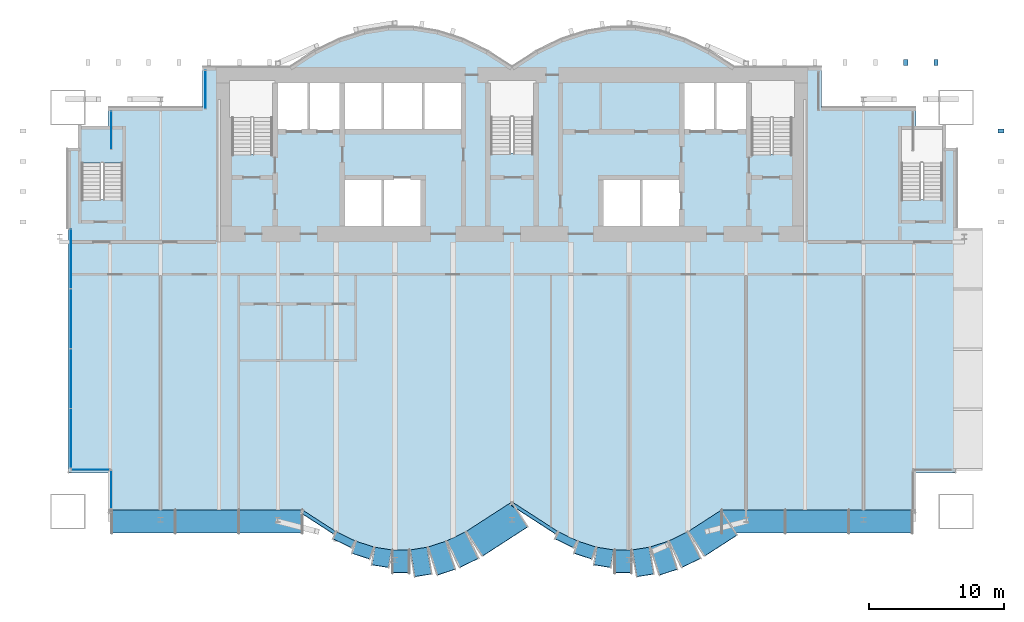
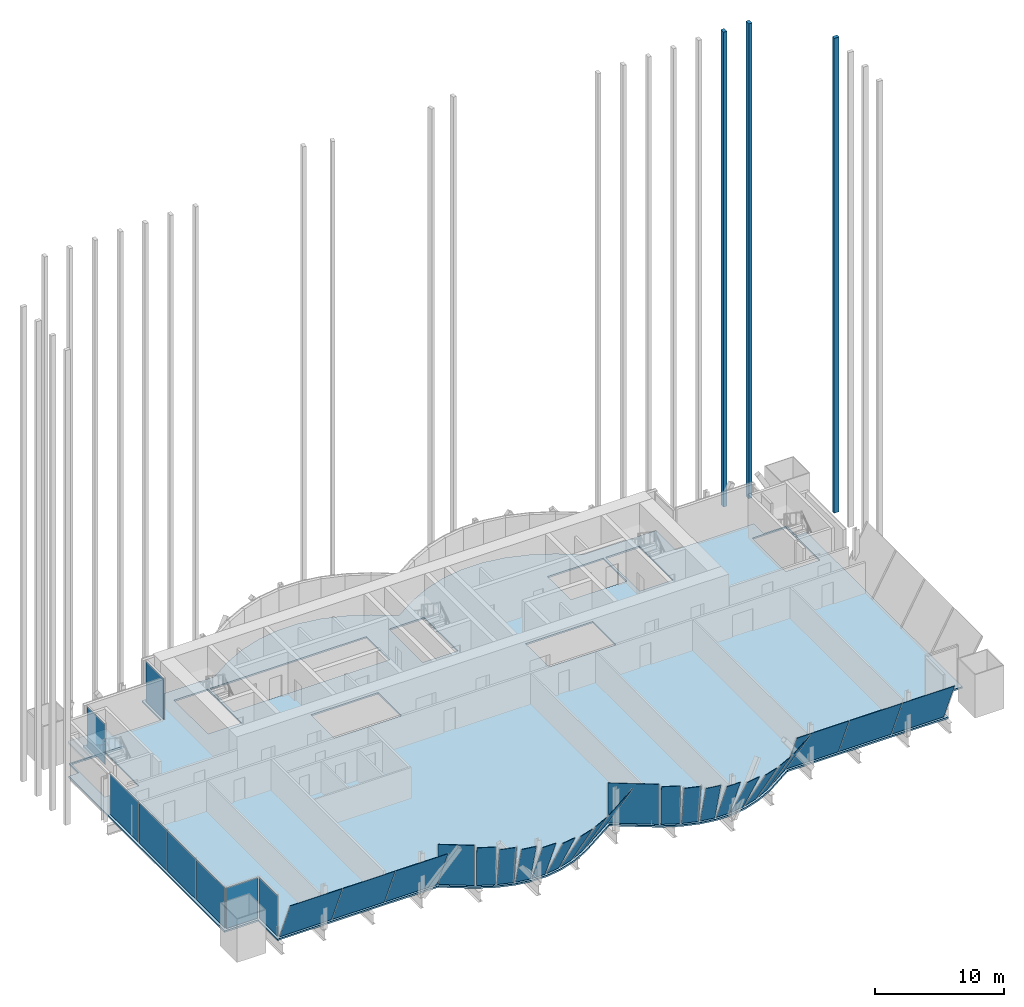
# One storey, part 27 of 33: 32 plates, 3 members, 2 slabs, 28 elements without a shape of their own.
"""IFC4 building model written with IfcOpenShell, lengths in metres."""

from ifc_helpers import new_model, si_unit, direction, frame, origin, origin_2d, place, context, subcontext, project, spatial, polyline, rectangle, outline, extrude, material, layer, layer_set, material_profile, profile_set, type_object, element, aggregate, save


model = new_model("IFC4")

# Units and contexts
model_context = context("Model", 3, precision=1e-05, world=origin(), true_north=direction((0.0, 1.0)))
body_context = subcontext(model_context, "Body", "Model", "MODEL_VIEW")
ifc_project = project(units=[si_unit("LENGTHUNIT", "METRE"), si_unit("AREAUNIT", "SQUARE_METRE"), si_unit("VOLUMEUNIT", "CUBIC_METRE"), si_unit("PLANEANGLEUNIT", "RADIAN"), si_unit("MASSUNIT", "GRAM", prefix="KILO")], contexts=[model_context])

# Site, building, storey
site_placement = place(None, origin())
site = spatial("IfcSite", under=ifc_project, at=site_placement, CompositionType="ELEMENT")
building_placement = place(site_placement, origin())
building = spatial("IfcBuilding", under=site, at=building_placement, Name="Bicima Exchange Tower", CompositionType="ELEMENT")
storey_placement = place(building_placement, frame((0.0, 0.0, 140.39990234375)))
storey = spatial("IfcBuildingStorey", under=building, at=storey_placement, Name="L30", CompositionType="ELEMENT", Elevation=140.39990234375)

# Curtain wall, members
ifc_material_1 = material(Name="Anodised bronze aluminium", Category="aluminium")
curtain_wall_type_1 = type_object("IfcCurtainWallType", Name="Rear blade screen", PredefinedType="NOTDEFINED", material=ifc_material_1)
curtain_wall_1_placement = place(storey_placement, origin())
curtain_wall_1 = element("IfcCurtainWall", 1, at=curtain_wall_1_placement, inside=storey, type_object=curtain_wall_type_1, Name="Rear blade screen L30-L40 E", PredefinedType="NOTDEFINED")
ifc_material_profile = material_profile(ifc_material_1, rectangle(XDim=0.449951171875, YDim=0.300048828125, at=origin_2d()))
ifc_profile_set = profile_set([ifc_material_profile], Name="Anodised bronze aluminium")
member_type = type_object("IfcMemberType", Name="Rear blade fin 450 x 300", PredefinedType="USERDEFINED", material=ifc_profile_set)
member_1_placement = place(storey_placement, frame((29.25, 0.324951171875, 0.0), z_axis=(0.0, 0.0, 1.0), x_axis=(0.0, 1.0, 0.0)))
member_1 = element("IfcMember", 2, at=member_1_placement, type_object=member_type, Name="Rear blade fin L30-L40 18", ObjectType="FIN", PredefinedType="USERDEFINED", context=body_context, shape_type="SweptSolid", body=[
    extrude(rectangle(XDim=0.449951171875, YDim=0.300048828125, at=origin_2d()), origin(), (0.0, 0.0, 1.0), 44.900146484375),
])
member_2_placement = place(storey_placement, frame((31.5, 0.324951171875, 0.0), z_axis=(0.0, 0.0, 1.0), x_axis=(0.0, 1.0, 0.0)))
member_2 = element("IfcMember", 3, at=member_2_placement, type_object=member_type, Name="Rear blade fin L30-L40 19", ObjectType="FIN", PredefinedType="USERDEFINED", context=body_context, shape_type="SweptSolid", body=[
    extrude(rectangle(XDim=0.449951171875, YDim=0.300048828125, at=origin_2d()), origin(), (0.0, 0.0, 1.0), 44.900146484375),
])
aggregate(curtain_wall_1, [member_1, member_2])

# Curtain wall, member
curtain_wall_2_placement = place(storey_placement, origin())
curtain_wall_2 = element("IfcCurtainWall", 4, at=curtain_wall_2_placement, inside=storey, type_object=curtain_wall_type_1, Name="End blade screen L30-L40", PredefinedType="NOTDEFINED")
member_3_placement = place(storey_placement, frame((36.324951171875, -4.75, 0.0), z_axis=(0.0, 0.0, 1.0), x_axis=(1.0, 0.0, 0.0)))
member_3 = element("IfcMember", 5, at=member_3_placement, type_object=member_type, Name="End blade fin L30-L40 4", ObjectType="FIN", PredefinedType="USERDEFINED", context=body_context, shape_type="SweptSolid", body=[
    extrude(rectangle(XDim=0.449951171875, YDim=0.300048828125, at=origin_2d()), origin(), (0.0, 0.0, 1.0), 44.900146484375),
])
aggregate(curtain_wall_2, [member_3])

# Slab
ifc_material_2 = material(Name="Concrete C40/50", Category="concrete")
ifc_layer_1 = layer(ifc_material_2, 0.14990234375)
ifc_layer_set_1 = layer_set([ifc_layer_1], Name="Concrete C40/50")
slab_type_1 = type_object("IfcSlabType", Name="Composite floor slab 150", PredefinedType="FLOOR", material=ifc_layer_set_1)
slab_1_placement = place(storey_placement, frame((0.0, 0.0, -0.14990234375)))
element("IfcSlab", 6, at=slab_1_placement, inside=storey, type_object=slab_type_1, Name="Floor slab", PredefinedType="FLOOR", context=body_context, shape_type="SweptSolid", body=[
    extrude(outline(polyline([(30.0, -33.14404296875), (15.61474609375, -33.14404296875), (13.1923828125, -34.7099609375), (11.712158203125, -35.427734375), (10.295166015625, -35.8857421875), (8.92578125, -36.10693359375), (7.57421875, -36.10693359375), (6.204833984375, -35.8857421875), (4.787841796875, -35.427734375), (3.3076171875, -34.7099609375), (0.0, -32.57177734375), (-3.3076171875, -34.7099609375), (-4.787841796875, -35.427734375), (-6.204833984375, -35.8857421875), (-7.57421875, -36.10693359375), (-8.92578125, -36.10693359375), (-10.295166015625, -35.8857421875), (-11.712158203125, -35.427734375), (-13.1923828125, -34.7099609375), (-15.61474609375, -33.14404296875), (-30.0, -33.14404296875), (-30.0, -30.14404296875), (-33.0, -30.14404296875), (-33.0, -6.0), (-32.10009765625, -6.0), (-32.10009765625, -4.5), (-30.0, -4.5), (-30.0, -3.0), (-23.0, -3.0), (-23.0, 0.0), (-16.5, 0.0), (-14.666748046875, 1.185302734375), (-12.833251953125, 2.07421875), (-11.0, 2.666748046875), (-9.166748046875, 2.962890625), (-7.333251953125, 2.962890625), (-5.5, 2.666748046875), (-3.666748046875, 2.07421875), (-1.833251953125, 1.185302734375), (0.0, 0.0), (1.833251953125, 1.185302734375), (3.666748046875, 2.07421875), (5.5, 2.666748046875), (7.333251953125, 2.962890625), (9.166748046875, 2.962890625), (11.0, 2.666748046875), (12.833251953125, 2.07421875), (14.666748046875, 1.185302734375), (16.5, 0.0), (23.0, 0.0), (23.0, -3.0), (30.0, -3.0), (30.0, -4.5), (32.10009765625, -4.5), (32.10009765625, -6.0), (33.0, -6.0), (33.0, -30.14404296875), (30.0, -30.14404296875), (30.0, -33.14404296875)]), holes=[polyline([(-6.60009765625, -11.800048828125), (-6.60009765625, -8.199951171875), (-9.60009765625, -8.199951171875), (-12.60009765625, -8.199951171875), (-12.60009765625, -11.800048828125), (-9.60009765625, -11.800048828125), (-6.60009765625, -11.800048828125)]), polyline([(-31.97509765625, -9.824951171875), (-28.925048828125, -9.824951171875), (-28.925048828125, -4.625), (-31.97509765625, -4.625), (-31.97509765625, -9.824951171875)]), polyline([(-20.800048828125, -6.449951171875), (-17.800048828125, -6.449951171875), (-17.800048828125, -1.199951171875), (-20.800048828125, -1.199951171875), (-20.800048828125, -6.449951171875)]), polyline([(-9.60009765625, -1.199951171875), (-12.60009765625, -1.199951171875), (-15.10009765625, -1.199951171875), (-17.60009765625, -1.199951171875), (-17.60009765625, -4.800048828125), (-15.10009765625, -4.800048828125), (-12.60009765625, -4.800048828125), (-9.60009765625, -4.800048828125), (-6.60009765625, -4.800048828125), (-3.60009765625, -4.800048828125), (-3.60009765625, -1.199951171875), (-6.60009765625, -1.199951171875), (-9.60009765625, -1.199951171875)]), polyline([(12.60009765625, -11.800048828125), (12.60009765625, -8.199951171875), (9.60009765625, -8.199951171875), (6.60009765625, -8.199951171875), (6.60009765625, -11.800048828125), (9.60009765625, -11.800048828125), (12.60009765625, -11.800048828125)]), polyline([(28.925048828125, -9.824951171875), (31.97509765625, -9.824951171875), (31.97509765625, -4.625), (28.925048828125, -4.625), (28.925048828125, -9.824951171875)]), polyline([(17.800048828125, -6.449951171875), (20.800048828125, -6.449951171875), (20.800048828125, -1.199951171875), (17.800048828125, -1.199951171875), (17.800048828125, -6.449951171875)]), polyline([(-1.574951171875, -6.39990234375), (1.574951171875, -6.39990234375), (1.574951171875, -1.199951171875), (-1.574951171875, -1.199951171875), (-1.574951171875, -6.39990234375)]), polyline([(17.60009765625, -4.800048828125), (17.60009765625, -1.199951171875), (15.10009765625, -1.199951171875), (12.60009765625, -1.199951171875), (12.60009765625, -4.800048828125), (15.10009765625, -4.800048828125), (17.60009765625, -4.800048828125)])]), origin(), (0.0, 0.0, 1.0), 0.14990234375),
])

# Curtain wall, plates
curtain_wall_type_2 = type_object("IfcCurtainWallType", Name="End face glass wall", PredefinedType="NOTDEFINED", material=ifc_material_1)
curtain_wall_3_placement = place(storey_placement, origin())
curtain_wall_3 = element("IfcCurtainWall", 7, at=curtain_wall_3_placement, inside=storey, type_object=curtain_wall_type_2, Name="End face glass wall L30 run 6", PredefinedType="NOTDEFINED")
ifc_material_3 = material(Name="Bronze tinted glass", Category="glass")
ifc_layer_2 = layer(ifc_material_3, 0.031982421875)
ifc_layer_set_2 = layer_set([ifc_layer_2], Name="Bronze tinted glass")
plate_type_1 = type_object("IfcPlateType", Name="End face glass wall glass panel 32", PredefinedType="CURTAIN_PANEL", material=ifc_layer_set_2)
plate_1_placement = place(storey_placement, frame((-32.77001953125, -14.251708984375, 0.0), z_axis=(0.0, 0.0, 1.0), x_axis=(0.0, -1.0, 0.0)))
plate_1 = element("IfcPlate", 8, at=plate_1_placement, type_object=plate_type_1, Name="End face glass wall panel 1.1", PredefinedType="CURTAIN_PANEL", context=body_context, shape_type="SweptSolid", body=[
    extrude(rectangle(XDim=4.383544921875, YDim=0.031982421875, at=origin_2d()), origin(), (0.0, 0.0, 1.0), 3.81005859375),
])
plate_2_placement = place(storey_placement, frame((-32.77001953125, -18.6953125, 0.0), z_axis=(0.0, 0.0, 1.0), x_axis=(0.0, -1.0, 0.0)))
plate_2 = element("IfcPlate", 9, at=plate_2_placement, type_object=plate_type_1, Name="End face glass wall panel 2.1", PredefinedType="CURTAIN_PANEL", context=body_context, shape_type="SweptSolid", body=[
    extrude(rectangle(XDim=4.383544921875, YDim=0.031982421875, at=origin_2d()), origin(), (0.0, 0.0, 1.0), 3.81005859375),
])
plate_3_placement = place(storey_placement, frame((-32.77001953125, -23.138916015625, 0.0), z_axis=(0.0, 0.0, 1.0), x_axis=(0.0, -1.0, 0.0)))
plate_3 = element("IfcPlate", 10, at=plate_3_placement, type_object=plate_type_1, Name="End face glass wall panel 3.1", PredefinedType="CURTAIN_PANEL", context=body_context, shape_type="SweptSolid", body=[
    extrude(rectangle(XDim=4.383544921875, YDim=0.031982421875, at=origin_2d()), origin(), (0.0, 0.0, 1.0), 3.81005859375),
])
plate_4_placement = place(storey_placement, frame((-32.77001953125, -27.582275390625, 0.0), z_axis=(0.0, 0.0, 1.0), x_axis=(0.0, -1.0, 0.0)))
plate_4 = element("IfcPlate", 11, at=plate_4_placement, type_object=plate_type_1, Name="End face glass wall panel 4.1", PredefinedType="CURTAIN_PANEL", context=body_context, shape_type="SweptSolid", body=[
    extrude(rectangle(XDim=4.383544921875, YDim=0.031982421875, at=origin_2d()), origin(), (0.0, 0.0, 1.0), 3.81005859375),
])
aggregate(curtain_wall_3, [plate_1, plate_2, plate_3, plate_4])

# Curtain wall, plate
curtain_wall_type_3 = type_object("IfcCurtainWallType", Name="Front glass wall", PredefinedType="NOTDEFINED", material=ifc_material_1)
curtain_wall_4_placement = place(storey_placement, origin())
curtain_wall_4 = element("IfcCurtainWall", 12, at=curtain_wall_4_placement, inside=storey, type_object=curtain_wall_type_3, Name="Front glass wall L30 run 4", PredefinedType="NOTDEFINED")
ifc_layer_3 = layer(ifc_material_3, 0.031982421875)
ifc_layer_set_3 = layer_set([ifc_layer_3], Name="Bronze tinted glass")
plate_type_2 = type_object("IfcPlateType", Name="Front glass wall glass panel 32", PredefinedType="CURTAIN_PANEL", material=ifc_layer_set_3)
plate_5_placement = place(storey_placement, frame((-22.77001953125, -1.68994140625, 0.0), z_axis=(0.0, 0.0, 1.0), x_axis=(0.0, -1.0, 0.0)))
plate_5 = element("IfcPlate", 13, at=plate_5_placement, type_object=plate_type_2, Name="Front glass wall panel 1.1", PredefinedType="CURTAIN_PANEL", context=body_context, shape_type="SweptSolid", body=[
    extrude(rectangle(XDim=2.800048828125, YDim=0.031982421875, at=origin_2d()), origin(), (0.0, 0.0, 1.0), 3.81005859375),
])
aggregate(curtain_wall_4, [plate_5])

curtain_wall_5_placement = place(storey_placement, origin())
curtain_wall_5 = element("IfcCurtainWall", 14, at=curtain_wall_5_placement, inside=storey, type_object=curtain_wall_type_3, Name="Front glass wall L30 run 5", PredefinedType="NOTDEFINED")
plate_6_placement = place(storey_placement, frame((-29.77001953125, -4.68994140625, 0.0), z_axis=(0.0, 0.0, 1.0), x_axis=(0.0, -1.0, 0.0)))
plate_6 = element("IfcPlate", 15, at=plate_6_placement, type_object=plate_type_2, Name="Front glass wall panel 1.1", PredefinedType="CURTAIN_PANEL", context=body_context, shape_type="SweptSolid", body=[
    extrude(rectangle(XDim=2.800048828125, YDim=0.031982421875, at=origin_2d()), origin(), (0.0, 0.0, 1.0), 3.81005859375),
])
aggregate(curtain_wall_5, [plate_6])

curtain_wall_6_placement = place(storey_placement, origin())
curtain_wall_6 = element("IfcCurtainWall", 16, at=curtain_wall_6_placement, inside=storey, type_object=curtain_wall_type_3, Name="Front glass wall L30 run 7", PredefinedType="NOTDEFINED")
plate_7_placement = place(storey_placement, frame((-31.31005859375, -29.9140625, 0.0), z_axis=(0.0, 0.0, 1.0), x_axis=(1.0, 0.0, 0.0)))
plate_7 = element("IfcPlate", 17, at=plate_7_placement, type_object=plate_type_2, Name="Front glass wall panel 1.1", PredefinedType="CURTAIN_PANEL", context=body_context, shape_type="SweptSolid", body=[
    extrude(rectangle(XDim=2.800048828125, YDim=0.031982421875, at=origin_2d()), origin(), (0.0, 0.0, 1.0), 3.81005859375),
])
aggregate(curtain_wall_6, [plate_7])

curtain_wall_7_placement = place(storey_placement, origin())
curtain_wall_7 = element("IfcCurtainWall", 18, at=curtain_wall_7_placement, inside=storey, type_object=curtain_wall_type_3, Name="Front glass wall L30 run 8", PredefinedType="NOTDEFINED")
plate_8_placement = place(storey_placement, frame((-29.77001953125, -31.3740234375, 0.0), z_axis=(0.0, 0.0, 1.0), x_axis=(0.0, -1.0, 0.0)))
plate_8 = element("IfcPlate", 19, at=plate_8_placement, type_object=plate_type_2, Name="Front glass wall panel 1.1", PredefinedType="CURTAIN_PANEL", context=body_context, shape_type="SweptSolid", body=[
    extrude(rectangle(XDim=2.800048828125, YDim=0.031982421875, at=origin_2d()), origin(), (0.0, 0.0, 1.0), 3.81005859375),
])
aggregate(curtain_wall_7, [plate_8])

curtain_wall_8_placement = place(storey_placement, origin())
curtain_wall_8 = element("IfcCurtainWall", 20, at=curtain_wall_8_placement, inside=storey, type_object=curtain_wall_type_3, Name="Canted glass wall L30 37.1", PredefinedType="NOTDEFINED")
plate_9_placement = place(storey_placement, frame((-13.025390625, -34.535400390625, 0.0), z_axis=(0.431712251382, 0.890578249762, 0.143160445158), x_axis=(0.89984713121, -0.436205387924, 0.0)))
plate_9 = element("IfcPlate", 21, at=plate_9_placement, type_object=plate_type_2, Name="Canted glass panel 1", PredefinedType="CURTAIN_PANEL", context=body_context, shape_type="SweptSolid", body=[
    extrude(outline(polyline([(0.0, 0.0), (1.494937081081463, 0.0), (1.4949137964141754, -3.9913078054860818), (-2.3284667287539446e-05, -3.9913078054860818), (0.0, 0.0)])), origin(), (0.0, 0.0, -1.0), 0.031982421875),
])
aggregate(curtain_wall_8, [plate_9])

curtain_wall_9_placement = place(storey_placement, origin())
curtain_wall_9 = element("IfcCurtainWall", 22, at=curtain_wall_9_placement, inside=storey, type_object=curtain_wall_type_3, Name="Canted glass wall L30 40.1", PredefinedType="NOTDEFINED")
plate_10_placement = place(storey_placement, frame((-8.847412109375, -35.876953125, 0.0), z_axis=(0.0, 0.91972618109, 0.392560507207), x_axis=(1.0, 0.0, 0.0)))
plate_10 = element("IfcPlate", 23, at=plate_10_placement, type_object=plate_type_2, Name="Canted glass panel 1", PredefinedType="CURTAIN_PANEL", context=body_context, shape_type="SweptSolid", body=[
    extrude(outline(polyline([(0.0, 0.0), (1.19482421875, 0.0), (1.19482421875, -4.294968865429404), (0.0, -4.294968865429404), (0.0, 0.0)])), origin(), (0.0, 0.0, -1.0), 0.031982421875),
])
aggregate(curtain_wall_9, [plate_10])

curtain_wall_10_placement = place(storey_placement, origin())
curtain_wall_10 = element("IfcCurtainWall", 24, at=curtain_wall_10_placement, inside=storey, type_object=curtain_wall_type_3, Name="Canted glass wall L30 41.1", PredefinedType="NOTDEFINED")
plate_11_placement = place(storey_placement, frame((-7.533447265625, -35.867431640625, 0.0), z_axis=(-0.142188012314, 0.879815941949, 0.453548759723), x_axis=(0.987188080253, 0.159560937079, -3.9566294e-05)))
plate_11 = element("IfcPlate", 25, at=plate_11_placement, type_object=plate_type_2, Name="Canted glass panel 1", PredefinedType="CURTAIN_PANEL", context=body_context, shape_type="SweptSolid", body=[
    extrude(outline(polyline([(0.0, 0.0), (1.2311203168570453, -1.3877787807814457e-17), (1.2309870398327059, -4.432343539504277), (-9.432171743498812e-05, -4.432234229859853), (0.0, 0.0)])), origin(), (0.0, 0.0, -1.0), 0.031982421875),
])
aggregate(curtain_wall_10, [plate_11])

curtain_wall_11_placement = place(storey_placement, origin())
curtain_wall_11 = element("IfcCurtainWall", 26, at=curtain_wall_11_placement, inside=storey, type_object=curtain_wall_type_3, Name="Canted glass wall L30 42.1", PredefinedType="NOTDEFINED")
plate_12_placement = place(storey_placement, frame((-6.20166015625, -35.642822265625, 0.0), z_axis=(-0.268992577696, 0.8322382545, 0.484791172457), x_axis=(0.951536123408, 0.307536998143, 2.495936e-05)))
plate_12 = element("IfcPlate", 27, at=plate_12_placement, type_object=plate_type_2, Name="Canted glass panel 1", PredefinedType="CURTAIN_PANEL", context=body_context, shape_type="SweptSolid", body=[
    extrude(outline(polyline([(0.0, 0.0), (1.3354547737341032, 0.0), (1.33581580932168, -4.516380957805549), (5.364468876061158e-05, -4.516457186462047), (0.0, 0.0)])), origin(), (0.0, 0.0, -1.0), 0.031982421875),
])
aggregate(curtain_wall_11, [plate_12])

curtain_wall_12_placement = place(storey_placement, origin())
curtain_wall_12 = element("IfcCurtainWall", 28, at=curtain_wall_12_placement, inside=storey, type_object=curtain_wall_type_3, Name="Canted glass wall L30 43.1", PredefinedType="NOTDEFINED")
plate_13_placement = place(storey_placement, frame((-4.81982421875, -35.1875, 0.0), z_axis=(-0.381514652697, 0.787025734317, 0.48480621211), x_axis=(0.89984713121, 0.436205387924, 0.0)))
plate_13 = element("IfcPlate", 29, at=plate_13_placement, type_object=plate_type_2, Name="Canted glass panel 1", PredefinedType="CURTAIN_PANEL", context=body_context, shape_type="SweptSolid", body=[
    extrude(outline(polyline([(0.0, 0.0), (1.494937081081463, -5.551115123125783e-17), (1.4951627509733252, -4.516462124019396), (0.00022566989186234565, -4.516462124019395), (0.0, 0.0)])), origin(), (0.0, 0.0, -1.0), 0.031982421875),
])
aggregate(curtain_wall_12, [plate_13])

curtain_wall_13_placement = place(storey_placement, origin())
curtain_wall_13 = element("IfcCurtainWall", 30, at=curtain_wall_13_placement, inside=storey, type_object=curtain_wall_type_3, Name="Canted glass wall L30 45.1", PredefinedType="NOTDEFINED")
plate_14_placement = place(storey_placement, frame((0.05029296875, -32.330322265625, 0.0), z_axis=(0.541902911435, 0.838268106443, 0.060397154729), x_axis=(0.839801174799, -0.542894084333, 1.563377e-06)))
plate_14 = element("IfcPlate", 31, at=plate_14_placement, type_object=plate_type_2, Name="Canted glass panel 1", PredefinedType="CURTAIN_PANEL", context=body_context, shape_type="SweptSolid", body=[
    extrude(outline(polyline([(0.0, 0.0), (3.953173405832099, -1.3877787807814457e-17), (3.9532588084047404, -3.9574136856257973), (0.00021794507369933414, -3.957426068622452), (0.0, 0.0)])), origin(), (0.0, 0.0, -1.0), 0.031982421875),
])
aggregate(curtain_wall_13, [plate_14])

curtain_wall_14_placement = place(storey_placement, origin())
curtain_wall_14 = element("IfcCurtainWall", 32, at=curtain_wall_14_placement, inside=storey, type_object=curtain_wall_type_3, Name="Canted glass wall L30 46.1", PredefinedType="NOTDEFINED")
plate_15_placement = place(storey_placement, frame((3.474609375, -34.535400390625, 0.0), z_axis=(0.431712251382, 0.890578249762, 0.143160445158), x_axis=(0.89984713121, -0.436205387924, 0.0)))
plate_15 = element("IfcPlate", 33, at=plate_15_placement, type_object=plate_type_2, Name="Canted glass panel 1", PredefinedType="CURTAIN_PANEL", context=body_context, shape_type="SweptSolid", body=[
    extrude(outline(polyline([(0.0, 0.0), (1.494937081081463, 0.0), (1.4949137964141754, -3.9913078054860818), (-2.3284667287539446e-05, -3.9913078054860818), (0.0, 0.0)])), origin(), (0.0, 0.0, -1.0), 0.031982421875),
])
aggregate(curtain_wall_14, [plate_15])

curtain_wall_15_placement = place(storey_placement, origin())
curtain_wall_15 = element("IfcCurtainWall", 34, at=curtain_wall_15_placement, inside=storey, type_object=curtain_wall_type_3, Name="Canted glass wall L30 47.1", PredefinedType="NOTDEFINED")
plate_16_placement = place(storey_placement, frame((4.930908203125, -35.232177734375, 0.0), z_axis=(0.299183251617, 0.925831643678, 0.230922388514), x_axis=(0.951549971166, -0.307494150144, 0.0)))
plate_16 = element("IfcPlate", 35, at=plate_16_placement, type_object=plate_type_2, Name="Canted glass panel 1", PredefinedType="CURTAIN_PANEL", context=body_context, shape_type="SweptSolid", body=[
    extrude(outline(polyline([(0.0, 0.0), (1.3354547755040358, -1.3877787807814457e-17), (1.3354067063341915, -4.0599262958654565), (-4.806916984428922e-05, -4.0599262958654565), (0.0, 0.0)])), origin(), (0.0, 0.0, -1.0), 0.031982421875),
])
aggregate(curtain_wall_15, [plate_16])

curtain_wall_16_placement = place(storey_placement, origin())
curtain_wall_16 = element("IfcCurtainWall", 36, at=curtain_wall_16_placement, inside=storey, type_object=curtain_wall_type_3, Name="Canted glass wall L30 48.1", PredefinedType="NOTDEFINED")
plate_17_placement = place(storey_placement, frame((6.318115234375, -35.6708984375, 0.0), z_axis=(0.151333158042, 0.936403307314, 0.316618258046), x_axis=(0.987189727656, -0.159550746617, 2.9397368e-05)))
plate_17 = element("IfcPlate", 37, at=plate_17_placement, type_object=plate_type_2, Name="Canted glass panel 1", PredefinedType="CURTAIN_PANEL", context=body_context, shape_type="SweptSolid", body=[
    extrude(outline(polyline([(0.0, 0.0), (1.2311203162350637, 0.0), (1.2311406127178135, -4.1644050841829685), (5.924930174800396e-05, -4.164481392250139), (0.0, 0.0)])), origin(), (0.0, 0.0, -1.0), 0.031982421875),
])
aggregate(curtain_wall_16, [plate_17])

curtain_wall_17_placement = place(storey_placement, origin())
curtain_wall_17 = element("IfcCurtainWall", 38, at=curtain_wall_17_placement, inside=storey, type_object=curtain_wall_type_3, Name="Canted glass wall L30 49.1", PredefinedType="NOTDEFINED")
plate_18_placement = place(storey_placement, frame((7.652587890625, -35.876953125, 0.0), z_axis=(0.0, 0.91972618109, 0.392560507207), x_axis=(1.0, 0.0, 0.0)))
plate_18 = element("IfcPlate", 39, at=plate_18_placement, type_object=plate_type_2, Name="Canted glass panel 1", PredefinedType="CURTAIN_PANEL", context=body_context, shape_type="SweptSolid", body=[
    extrude(outline(polyline([(0.0, 0.0), (1.19482421875, 0.0), (1.19482421875, -4.294968865429404), (0.0, -4.294968865429404), (0.0, 0.0)])), origin(), (0.0, 0.0, -1.0), 0.031982421875),
])
aggregate(curtain_wall_17, [plate_18])

curtain_wall_18_placement = place(storey_placement, origin())
curtain_wall_18 = element("IfcCurtainWall", 40, at=curtain_wall_18_placement, inside=storey, type_object=curtain_wall_type_3, Name="Canted glass wall L30 52.1", PredefinedType="NOTDEFINED")
plate_19_placement = place(storey_placement, frame((11.68017578125, -35.1875, 0.0), z_axis=(-0.381514652697, 0.787025734317, 0.48480621211), x_axis=(0.89984713121, 0.436205387924, 0.0)))
plate_19 = element("IfcPlate", 41, at=plate_19_placement, type_object=plate_type_2, Name="Canted glass panel 1", PredefinedType="CURTAIN_PANEL", context=body_context, shape_type="SweptSolid", body=[
    extrude(outline(polyline([(0.0, 0.0), (1.494937081081463, -5.551115123125783e-17), (1.4951627509733252, -4.516462124019396), (0.00022566989186234565, -4.516462124019395), (0.0, 0.0)])), origin(), (0.0, 0.0, -1.0), 0.031982421875),
])
aggregate(curtain_wall_18, [plate_19])

curtain_wall_19_placement = place(storey_placement, origin())
curtain_wall_19 = element("IfcCurtainWall", 42, at=curtain_wall_19_placement, inside=storey, type_object=curtain_wall_type_3, Name="Canted glass wall L30 53.1", PredefinedType="NOTDEFINED")
plate_20_placement = place(storey_placement, frame((13.1298828125, -34.4765625, 0.0), z_axis=(-0.474818122348, 0.7345227604, 0.484792806407), x_axis=(0.839805995735, 0.542886626553, -1.5424091e-05)))
plate_20 = element("IfcPlate", 43, at=plate_20_placement, type_object=plate_type_2, Name="Canted glass panel 1", PredefinedType="CURTAIN_PANEL", context=body_context, shape_type="SweptSolid", body=[
    extrude(outline(polyline([(0.0, 0.0), (2.818200637514678, 1.1102230246251565e-16), (2.818138078980921, -4.5164734515156875), (6.99821465538396e-05, -4.516374055865816), (0.0, 0.0)])), origin(), (0.0, 0.0, -1.0), 0.031982421875),
])
aggregate(curtain_wall_19, [plate_20])

# Curtain wall, plates
curtain_wall_20_placement = place(storey_placement, origin())
curtain_wall_20 = element("IfcCurtainWall", 44, at=curtain_wall_20_placement, inside=storey, type_object=curtain_wall_type_3, Name="Canted glass wall L30 35.1", PredefinedType="NOTDEFINED")
ifc_material_4 = material(Name="Bronze anodised aluminium", Category="aluminium")
ifc_layer_4 = layer(ifc_material_4, 0.031982421875)
ifc_layer_set_4 = layer_set([ifc_layer_4], Name="Bronze anodised aluminium")
plate_type_3 = type_object("IfcPlateType", Name="Front glass wall spandrel panel 32", PredefinedType="CURTAIN_PANEL", material=ifc_layer_set_4)
plate_21_placement = place(storey_placement, frame((-29.7099609375, -32.9140625, 0.0), z_axis=(0.0, 0.91972618109, 0.392560507207), x_axis=(1.0, 0.0, 0.0)))
plate_21 = element("IfcPlate", 45, at=plate_21_placement, type_object=plate_type_3, Name="Canted glass panel 1", PredefinedType="CURTAIN_PANEL", context=body_context, shape_type="SweptSolid", body=[
    extrude(outline(polyline([(0.0, 0.0), (4.660888671875, 0.0), (4.660888671875, -4.294968865429403), (0.0, -4.294968865429403), (0.0, 0.0)])), origin(), (0.0, 0.0, -1.0), 0.031982421875),
])
plate_22_placement = place(storey_placement, frame((-24.989013671875, -32.9140625, 0.0), z_axis=(0.0, 0.91972618109, 0.392560507207), x_axis=(1.0, 0.0, 0.0)))
plate_22 = element("IfcPlate", 46, at=plate_22_placement, type_object=plate_type_3, Name="Canted glass panel 2", PredefinedType="CURTAIN_PANEL", context=body_context, shape_type="SweptSolid", body=[
    extrude(outline(polyline([(0.0, 0.0), (4.6611328125, 0.0), (4.6611328125, -4.294968865429403), (0.0, -4.294968865429403), (0.0, 0.0)])), origin(), (0.0, 0.0, -1.0), 0.031982421875),
])
plate_23_placement = place(storey_placement, frame((-20.267822265625, -32.9140625, 0.0), z_axis=(0.0, 0.91972618109, 0.392560507207), x_axis=(1.0, 0.0, 0.0)))
plate_23 = element("IfcPlate", 47, at=plate_23_placement, type_object=plate_type_3, Name="Canted glass panel 3", PredefinedType="CURTAIN_PANEL", context=body_context, shape_type="SweptSolid", body=[
    extrude(outline(polyline([(0.0, 0.0), (4.660888671875, 0.0), (4.660888671875, -4.294968865429403), (0.0, -4.294968865429403), (0.0, 0.0)])), origin(), (0.0, 0.0, -1.0), 0.031982421875),
])
aggregate(curtain_wall_20, [plate_21, plate_22, plate_23])

# Curtain wall, plate
curtain_wall_21_placement = place(storey_placement, origin())
curtain_wall_21 = element("IfcCurtainWall", 48, at=curtain_wall_21_placement, inside=storey, type_object=curtain_wall_type_3, Name="Canted glass wall L30 36.1", PredefinedType="NOTDEFINED")
plate_24_placement = place(storey_placement, frame((-15.49658203125, -32.946533203125, 0.0), z_axis=(0.541919720783, 0.838259098974, 0.06037134432), x_axis=(0.839790888572, -0.542909995738, 0.0)))
plate_24 = element("IfcPlate", 49, at=plate_24_placement, type_object=plate_type_3, Name="Canted glass panel 1", PredefinedType="CURTAIN_PANEL", context=body_context, shape_type="SweptSolid", body=[
    extrude(outline(polyline([(0.0, 0.0), (2.8182006389410366, -1.3877787807814457e-17), (2.818284392521264, -3.957413686983993), (8.375358022742752e-05, -3.957413686983993), (0.0, 0.0)])), origin(), (0.0, 0.0, -1.0), 0.031982421875),
])
aggregate(curtain_wall_21, [plate_24])

curtain_wall_22_placement = place(storey_placement, origin())
curtain_wall_22 = element("IfcCurtainWall", 50, at=curtain_wall_22_placement, inside=storey, type_object=curtain_wall_type_3, Name="Canted glass wall L30 38.1", PredefinedType="NOTDEFINED")
plate_25_placement = place(storey_placement, frame((-11.569091796875, -35.232177734375, 0.0), z_axis=(0.299183251617, 0.925831643678, 0.230922388514), x_axis=(0.951549971166, -0.307494150144, 0.0)))
plate_25 = element("IfcPlate", 51, at=plate_25_placement, type_object=plate_type_3, Name="Canted glass panel 1", PredefinedType="CURTAIN_PANEL", context=body_context, shape_type="SweptSolid", body=[
    extrude(outline(polyline([(0.0, 0.0), (1.3354547755040358, -1.3877787807814457e-17), (1.3354067063341915, -4.0599262958654565), (-4.806916984428922e-05, -4.0599262958654565), (0.0, 0.0)])), origin(), (0.0, 0.0, -1.0), 0.031982421875),
])
aggregate(curtain_wall_22, [plate_25])

curtain_wall_23_placement = place(storey_placement, origin())
curtain_wall_23 = element("IfcCurtainWall", 52, at=curtain_wall_23_placement, inside=storey, type_object=curtain_wall_type_3, Name="Canted glass wall L30 39.1", PredefinedType="NOTDEFINED")
plate_26_placement = place(storey_placement, frame((-10.181884765625, -35.6708984375, 0.0), z_axis=(0.151333158042, 0.936403307314, 0.316618258046), x_axis=(0.987189727656, -0.159550746617, 2.9397368e-05)))
plate_26 = element("IfcPlate", 53, at=plate_26_placement, type_object=plate_type_3, Name="Canted glass panel 1", PredefinedType="CURTAIN_PANEL", context=body_context, shape_type="SweptSolid", body=[
    extrude(outline(polyline([(0.0, 0.0), (1.2311203162350637, 0.0), (1.2311406127178135, -4.1644050841829685), (5.924930174800396e-05, -4.164481392250139), (0.0, 0.0)])), origin(), (0.0, 0.0, -1.0), 0.031982421875),
])
aggregate(curtain_wall_23, [plate_26])

curtain_wall_24_placement = place(storey_placement, origin())
curtain_wall_24 = element("IfcCurtainWall", 54, at=curtain_wall_24_placement, inside=storey, type_object=curtain_wall_type_3, Name="Canted glass wall L30 44.1", PredefinedType="NOTDEFINED")
plate_27_placement = place(storey_placement, frame((-3.3701171875, -34.4765625, 0.0), z_axis=(-0.474846546978, 0.734511793702, 0.484781581473), x_axis=(0.839790954846, 0.542909893209, -3.887086e-06)))
plate_27 = element("IfcPlate", 55, at=plate_27_placement, type_object=plate_type_3, Name="Canted glass panel 1", PredefinedType="CURTAIN_PANEL", context=body_context, shape_type="SweptSolid", body=[
    extrude(outline(polyline([(0.0, 0.0), (3.953173407029393, 0.0), (3.9528907311231105, -4.516409193027416), (5.489754294975803e-05, -4.516374056853175), (0.0, 0.0)])), origin(), (0.0, 0.0, -1.0), 0.031982421875),
])
aggregate(curtain_wall_24, [plate_27])

curtain_wall_25_placement = place(storey_placement, origin())
curtain_wall_25 = element("IfcCurtainWall", 56, at=curtain_wall_25_placement, inside=storey, type_object=curtain_wall_type_3, Name="Canted glass wall L30 50.1", PredefinedType="NOTDEFINED")
plate_28_placement = place(storey_placement, frame((8.966552734375, -35.867431640625, 0.0), z_axis=(-0.142188012314, 0.879815941949, 0.453548759723), x_axis=(0.987188080253, 0.159560937079, -3.9566294e-05)))
plate_28 = element("IfcPlate", 57, at=plate_28_placement, type_object=plate_type_3, Name="Canted glass panel 1", PredefinedType="CURTAIN_PANEL", context=body_context, shape_type="SweptSolid", body=[
    extrude(outline(polyline([(0.0, 0.0), (1.2311203168570453, -1.3877787807814457e-17), (1.2309870398327059, -4.432343539504277), (-9.432171743498812e-05, -4.432234229859853), (0.0, 0.0)])), origin(), (0.0, 0.0, -1.0), 0.031982421875),
])
aggregate(curtain_wall_25, [plate_28])

curtain_wall_26_placement = place(storey_placement, origin())
curtain_wall_26 = element("IfcCurtainWall", 58, at=curtain_wall_26_placement, inside=storey, type_object=curtain_wall_type_3, Name="Canted glass wall L30 51.1", PredefinedType="NOTDEFINED")
plate_29_placement = place(storey_placement, frame((10.29833984375, -35.642822265625, 0.0), z_axis=(-0.268992577696, 0.8322382545, 0.484791172457), x_axis=(0.951536123408, 0.307536998143, 2.495936e-05)))
plate_29 = element("IfcPlate", 59, at=plate_29_placement, type_object=plate_type_3, Name="Canted glass panel 1", PredefinedType="CURTAIN_PANEL", context=body_context, shape_type="SweptSolid", body=[
    extrude(outline(polyline([(0.0, 0.0), (1.3354547737341032, 0.0), (1.33581580932168, -4.516380957805549), (5.364468876061158e-05, -4.516457186462047), (0.0, 0.0)])), origin(), (0.0, 0.0, -1.0), 0.031982421875),
])
aggregate(curtain_wall_26, [plate_29])

# Curtain wall, plates
curtain_wall_27_placement = place(storey_placement, origin())
curtain_wall_27 = element("IfcCurtainWall", 60, at=curtain_wall_27_placement, inside=storey, type_object=curtain_wall_type_3, Name="Canted glass wall L30 54.1", PredefinedType="NOTDEFINED")
plate_30_placement = place(storey_placement, frame((15.60693359375, -32.9140625, 0.0), z_axis=(0.0, 0.91972618109, 0.392560507207), x_axis=(1.0, 0.0, 0.0)))
plate_30 = element("IfcPlate", 61, at=plate_30_placement, type_object=plate_type_3, Name="Canted glass panel 1", PredefinedType="CURTAIN_PANEL", context=body_context, shape_type="SweptSolid", body=[
    extrude(outline(polyline([(0.0, 0.0), (4.660888671875, 0.0), (4.660888671875, -4.294968865429403), (0.0, -4.294968865429403), (0.0, 0.0)])), origin(), (0.0, 0.0, -1.0), 0.031982421875),
])
plate_31_placement = place(storey_placement, frame((20.327880859375, -32.9140625, 0.0), z_axis=(0.0, 0.91972618109, 0.392560507207), x_axis=(1.0, 0.0, 0.0)))
plate_31 = element("IfcPlate", 62, at=plate_31_placement, type_object=plate_type_3, Name="Canted glass panel 2", PredefinedType="CURTAIN_PANEL", context=body_context, shape_type="SweptSolid", body=[
    extrude(outline(polyline([(0.0, 0.0), (4.6611328125, 0.0), (4.6611328125, -4.294968865429403), (0.0, -4.294968865429403), (0.0, 0.0)])), origin(), (0.0, 0.0, -1.0), 0.031982421875),
])
plate_32_placement = place(storey_placement, frame((25.049072265625, -32.9140625, 0.0), z_axis=(0.0, 0.91972618109, 0.392560507207), x_axis=(1.0, 0.0, 0.0)))
plate_32 = element("IfcPlate", 63, at=plate_32_placement, type_object=plate_type_3, Name="Canted glass panel 3", PredefinedType="CURTAIN_PANEL", context=body_context, shape_type="SweptSolid", body=[
    extrude(outline(polyline([(0.0, 0.0), (4.660888671875, 0.0), (4.660888671875, -4.294968865429403), (0.0, -4.294968865429403), (0.0, 0.0)])), origin(), (0.0, 0.0, -1.0), 0.031982421875),
])
aggregate(curtain_wall_27, [plate_30, plate_31, plate_32])

# Stair, slab
ifc_material_5 = material(Name="Concrete C50/60", Category="concrete")
stair_type = type_object("IfcStairType", Name="Exit stair", PredefinedType="HALF_TURN_STAIR", material=ifc_material_5)
stair_placement = place(storey_placement, origin())
stair = element("IfcStair", 64, at=stair_placement, inside=storey, type_object=stair_type, Name="L30 West end exit stair", PredefinedType="HALF_TURN_STAIR")
ifc_layer_5 = layer(ifc_material_5, 0.199951171875)
ifc_layer_set_5 = layer_set([ifc_layer_5], Name="Concrete C50/60")
slab_type_2 = type_object("IfcSlabType", Name="Stair landing slab", PredefinedType="LANDING", material=ifc_layer_set_5)
slab_2_placement = place(storey_placement, frame((0.0, 0.0, 1.85009765625)))
slab_2 = element("IfcSlab", 65, at=slab_2_placement, type_object=slab_type_2, Name="ST-WW landing 1", PredefinedType="LANDING", context=body_context, shape_type="SweptSolid", body=[
    extrude(outline(polyline([(-28.72509765625, -7.125), (-28.72509765625, -4.425048828125), (-32.175048828125, -4.425048828125), (-32.175048828125, -7.125), (-28.72509765625, -7.125)])), origin(), (0.0, 0.0, 1.0), 0.199951171875),
])
aggregate(stair, [slab_2])

save(model, "model.ifc")
